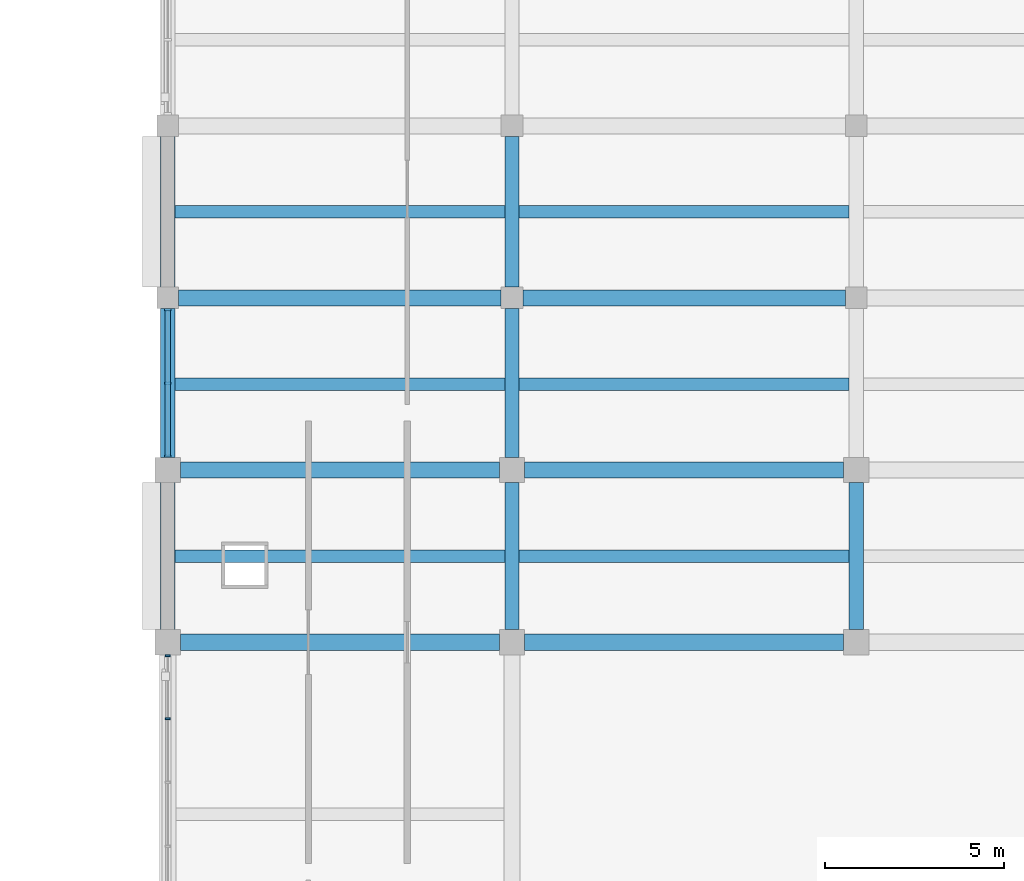
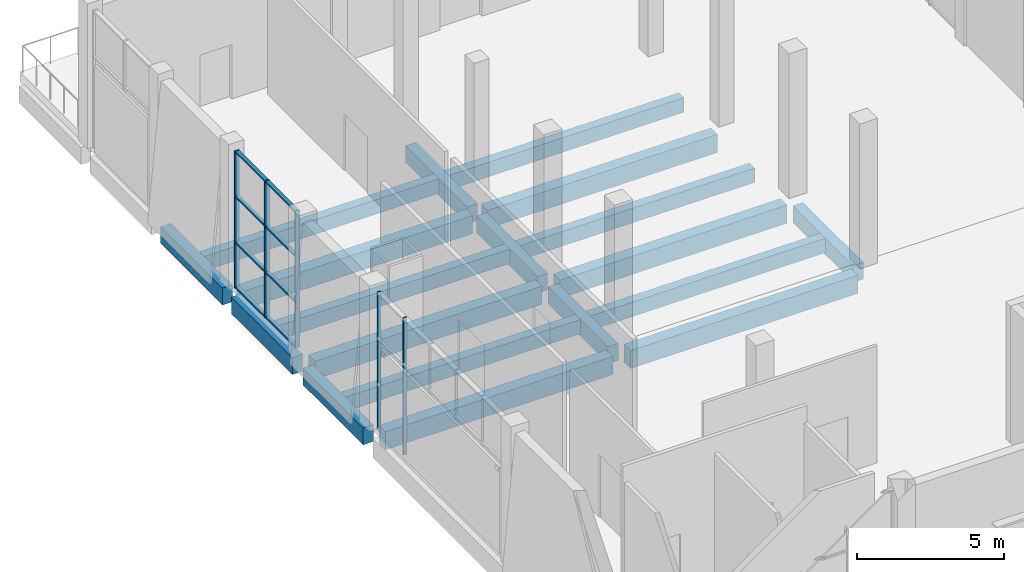
# One storey, part 13 of 84: 19 beams, 9 members, 2 elements without a shape of their own.
"""IFC4 building model written with IfcOpenShell, lengths in metres."""

import ifcopenshell
import ifcopenshell.guid

model = None  # the IFC model being written
_history = None  # IfcOwnerHistory: only IFC2X3 demands one
_inside = {}  # id of a spatial element -> (the spatial element, [elements in it])
_under = {}  # id of a project, library or spatial element -> (it, [spatial elements below it])
_declared = {}  # id of a project -> (the project, [libraries it declares])
_typed = {}  # id of a type object -> (the type object, [elements of that type])
_made_of = {}  # id of a material, layer set ... -> (it, [elements and type objects made of it])


def new_model(schema):
    """Start an empty IFC model of exactly this schema.

    Asked for "IFC4X3", IfcOpenShell would pick the latest addendum, in which some entities
    have other attributes; the version numbers below select the first issue.
    IFC2X3 requires an IfcOwnerHistory on every rooted entity: one is made here for all.
    """
    global model, _history
    if schema == "IFC4X3":
        model = ifcopenshell.file(schema_version=(4, 3, 0, 0))
    else:
        model = ifcopenshell.file(schema=schema)
    _inside.clear()
    _under.clear()
    _declared.clear()
    _typed.clear()
    _made_of.clear()
    _history = None
    if model.schema == "IFC2X3":
        org = make("IfcOrganization", Name="unknown")
        user = make(
            "IfcPersonAndOrganization",
            ThePerson=make("IfcPerson", FamilyName="unknown"),
            TheOrganization=org,
        )
        app = make(
            "IfcApplication",
            ApplicationDeveloper=org,
            Version="unknown",
            ApplicationFullName="unknown",
            ApplicationIdentifier="unknown",
        )
        _history = make(
            "IfcOwnerHistory",
            OwningUser=user,
            OwningApplication=app,
            ChangeAction="ADDED",
            CreationDate=0,
        )
    return model


def make(cls, **values):
    """One entity of the class cls with the attributes given. An attribute that is None is left unset."""
    return model.create_entity(
        cls, **{name: value for name, value in values.items() if value is not None}
    )


def rooted(cls, **values):
    """An entity with a GlobalId (a new one), such as an element, a storey or a relation."""
    return make(cls, GlobalId=ifcopenshell.guid.new(), OwnerHistory=_history, **values)


def si_unit(unit_type, name, prefix=None):
    """IfcSIUnit, for example si_unit("LENGTHUNIT", "METRE", prefix="MILLI")."""
    return make("IfcSIUnit", UnitType=unit_type, Prefix=prefix, Name=name)


def assignment(units):
    """IfcUnitAssignment: the units of a project."""
    return None if units is None else make("IfcUnitAssignment", Units=units)


def point(xyz):
    """IfcCartesianPoint."""
    return None if xyz is None else make("IfcCartesianPoint", Coordinates=xyz)


def direction(xyz):
    """IfcDirection."""
    return None if xyz is None else make("IfcDirection", DirectionRatios=xyz)


def frame(location, z_axis=None, x_axis=None):
    """IfcAxis2Placement3D, a coordinate frame: its origin and axes. An axis left out is left unset."""
    return make(
        "IfcAxis2Placement3D",
        Location=point(location),
        Axis=direction(z_axis),
        RefDirection=direction(x_axis),
    )


def frame_2d(location, x_axis=None):
    """IfcAxis2Placement2D, a coordinate frame in the plane: its origin and x axis."""
    return make(
        "IfcAxis2Placement2D", Location=point(location), RefDirection=direction(x_axis)
    )


def origin():
    """The frame at (0, 0, 0) with its axes left unset."""
    return frame((0.0, 0.0, 0.0))


def origin_2d():
    """The frame at (0, 0) in the plane with its x axis left unset."""
    return frame_2d((0.0, 0.0))


def place(relative_to, where):
    """IfcLocalPlacement: puts the frame where relative to a parent placement (None: the world)."""
    return make(
        "IfcLocalPlacement", PlacementRelTo=relative_to, RelativePlacement=where
    )


def context(
    kind, dimensions, precision=None, world=None, true_north=None, identifier=None
):
    """IfcGeometricRepresentationContext, for example the 3D "Model" context."""
    return make(
        "IfcGeometricRepresentationContext",
        ContextIdentifier=identifier,
        ContextType=kind,
        CoordinateSpaceDimension=dimensions,
        Precision=precision,
        WorldCoordinateSystem=world,
        TrueNorth=true_north,
    )


def subcontext(parent, identifier, kind, view, scale=None):
    """IfcGeometricRepresentationSubContext, for example "Body" below "Model"."""
    return make(
        "IfcGeometricRepresentationSubContext",
        ContextIdentifier=identifier,
        ContextType=kind,
        ParentContext=parent,
        TargetScale=scale,
        TargetView=view,
    )


def project(units=None, contexts=None):
    """IfcProject with its units and contexts."""
    return rooted(
        "IfcProject",
        Name="project",
        RepresentationContexts=contexts,
        UnitsInContext=assignment(units),
    )


def spatial(cls, under=None, at=None, **own):
    """A site, building, storey or space (cls), placed at a placement, below another one or the project."""
    s = rooted(cls, ObjectPlacement=at, **own)
    if under is not None:
        _under.setdefault(under.id(), (under, []))[1].append(s)
    return s


def profile(cls, at=None, kind="AREA", **sizes):
    """A parametric profile (cls). Its sizes go by their IFC names, for example OverallWidth=200.0."""
    return make(cls, ProfileType=kind, Position=at, **sizes)


def rectangle(**sizes):
    """IfcRectangleProfileDef."""
    return profile("IfcRectangleProfileDef", **sizes)


def extrude(swept, where, along, depth):
    """IfcExtrudedAreaSolid: the profile swept, set in the frame where, extruded along a direction by depth."""
    return make(
        "IfcExtrudedAreaSolid",
        SweptArea=swept,
        Position=where,
        ExtrudedDirection=direction(along),
        Depth=depth,
    )


def shape(context_of_items, identifier, shape_type, items):
    """IfcShapeRepresentation: the items that make up one representation, for example the "Body"."""
    return make(
        "IfcShapeRepresentation",
        ContextOfItems=context_of_items,
        RepresentationIdentifier=identifier,
        RepresentationType=shape_type,
        Items=items,
    )


def material(Name=None, Category=None):
    """IfcMaterial."""
    return make("IfcMaterial", Name=Name, Category=Category)


def material_profile(
    of_material, cross_section, Name=None, Category=None, Priority=None
):
    """IfcMaterialProfile: a cross section and its material."""
    return make(
        "IfcMaterialProfile",
        Name=Name,
        Material=of_material,
        Profile=cross_section,
        Priority=Priority,
        Category=Category,
    )


def profile_set(profiles, Name=None, composite=None):
    """IfcMaterialProfileSet."""
    return make(
        "IfcMaterialProfileSet",
        Name=Name,
        MaterialProfiles=profiles,
        CompositeProfile=composite,
    )


def made_of(thing, what):
    """Note that an element or type object is made of a material, layer set ...; save() writes the relation."""
    if what is not None:
        _made_of.setdefault(what.id(), (what, []))[1].append(thing)
    return thing


def type_object(cls, material=None, **own):
    """A type object (cls), such as IfcWallType, which elements share."""
    return made_of(rooted(cls, **own), material)


def element(
    cls,
    number,
    at=None,
    inside=None,
    cuts=None,
    type_object=None,
    material=None,
    context=None,
    identifier="Body",
    shape_type=None,
    held_by="IfcProductDefinitionShape",
    body=None,
    shapes=None,
    **own,
):
    """One element of the class cls, such as IfcWall. Its Tag is "e" and its number.

    at: its placement. inside: the storey or other place that contains it. cuts: it is an
    opening in that element (IfcRelVoidsElement). A single representation is given by context,
    identifier, shape_type and body (its items); several are given by shapes. held_by: the class
    of the entity that holds the representations. save() writes the other relations.
    """
    e = rooted(cls, Tag="e%d" % number, ObjectPlacement=at, **own)
    if body is not None:
        shapes = [shape(context, identifier, shape_type, body)]
    if shapes is not None:
        e.Representation = make(held_by, Representations=shapes)
    if inside is not None:
        _inside.setdefault(inside.id(), (inside, []))[1].append(e)
    if cuts is not None:
        rooted(
            "IfcRelVoidsElement", RelatingBuildingElement=cuts, RelatedOpeningElement=e
        )
    if type_object is not None:
        _typed.setdefault(type_object.id(), (type_object, []))[1].append(e)
    return made_of(e, material)


def aggregate(whole, parts):
    """IfcRelAggregates: a whole, such as a stair, and the parts it consists of."""
    return rooted("IfcRelAggregates", RelatingObject=whole, RelatedObjects=parts)


def save(model, path):
    """Write the relations noted so far, then the file.

    IfcRelAggregates (storeys below a building ...), IfcRelContainedInSpatialStructure (elements
    in a storey), IfcRelDefinesByType, IfcRelAssociatesMaterial and IfcRelDeclares: one each for
    every whole, place, type object, material and project.
    """
    for whole, parts in _under.values():
        aggregate(whole, parts)
    for where, things in _inside.values():
        rooted(
            "IfcRelContainedInSpatialStructure",
            RelatedElements=things,
            RelatingStructure=where,
        )
    for kind, things in _typed.values():
        rooted("IfcRelDefinesByType", RelatedObjects=things, RelatingType=kind)
    for what, things in _made_of.values():
        rooted("IfcRelAssociatesMaterial", RelatedObjects=things, RelatingMaterial=what)
    for by, libraries in _declared.values():
        rooted("IfcRelDeclares", RelatingContext=by, RelatedDefinitions=libraries)
    model.write(path)


model = new_model("IFC4")

# Units and contexts
model_context = context("Model", 3, precision=1e-05, world=origin(), true_north=direction((0.0, 1.0)))
body_context = subcontext(model_context, "Body", "Model", "MODEL_VIEW")
ifc_project = project(units=[si_unit("LENGTHUNIT", "METRE"), si_unit("AREAUNIT", "SQUARE_METRE"), si_unit("VOLUMEUNIT", "CUBIC_METRE"), si_unit("PLANEANGLEUNIT", "RADIAN"), si_unit("MASSUNIT", "GRAM", prefix="KILO")], contexts=[model_context])

# Site, building, storey
site_placement = place(None, origin())
site = spatial("IfcSite", under=ifc_project, at=site_placement, CompositionType="ELEMENT")
building_placement = place(site_placement, origin())
building = spatial("IfcBuilding", under=site, at=building_placement, Name="Shalvenor Court Art Gallery", CompositionType="ELEMENT")
storey_placement = place(building_placement, origin())
storey = spatial("IfcBuildingStorey", under=building, at=storey_placement, Name="L00", CompositionType="ELEMENT", Elevation=0.0)

# Beams
ifc_material_1 = material(Name="Concrete C40/50", Category="concrete")
ifc_material_profile_1 = material_profile(ifc_material_1, rectangle(XDim=0.449951171875, YDim=0.75, at=origin_2d()), Name="RC 450x750")
ifc_profile_set_1 = profile_set([ifc_material_profile_1], Name="Concrete C40/50")
beam_type_1 = type_object("IfcBeamType", Name="B-04", PredefinedType="BEAM", material=ifc_profile_set_1)
beam_1_placement = place(storey_placement, frame((96.35009765625, 19.199951171875, -0.715087890625), z_axis=(1.0, 0.0, 0.0), x_axis=(0.0, 1.0, 0.0)))
element("IfcBeam", 1, at=beam_1_placement, inside=storey, type_object=beam_type_1, Name="L00 Girder BM-L00-B-04-0164", PredefinedType="BEAM", context=body_context, shape_type="SweptSolid", body=[
    extrude(rectangle(XDim=0.449951171875, YDim=0.75, at=origin_2d()), origin(), (0.0, 0.0, 1.0), 8.89990234375),
])
beam_2_placement = place(storey_placement, frame((105.949951171875, 19.199951171875, -0.715087890625), z_axis=(1.0, 0.0, 0.0), x_axis=(0.0, 1.0, 0.0)))
element("IfcBeam", 2, at=beam_2_placement, inside=storey, type_object=beam_type_1, Name="L00 Girder BM-L00-B-04-0165", PredefinedType="BEAM", context=body_context, shape_type="SweptSolid", body=[
    extrude(rectangle(XDim=0.449951171875, YDim=0.75, at=origin_2d()), origin(), (0.0, 0.0, 1.0), 8.900146484375),
])
beam_3_placement = place(storey_placement, frame((96.35009765625, 24.0, -0.715087890625), z_axis=(1.0, 0.0, 0.0), x_axis=(0.0, 1.0, 0.0)))
element("IfcBeam", 3, at=beam_3_placement, inside=storey, type_object=beam_type_1, Name="L00 Girder BM-L00-B-04-0167", PredefinedType="BEAM", context=body_context, shape_type="SweptSolid", body=[
    extrude(rectangle(XDim=0.449951171875, YDim=0.75, at=origin_2d()), origin(), (0.0, 0.0, 1.0), 8.89990234375),
])
beam_4_placement = place(storey_placement, frame((105.949951171875, 24.0, -0.715087890625), z_axis=(1.0, 0.0, 0.0), x_axis=(0.0, 1.0, 0.0)))
element("IfcBeam", 4, at=beam_4_placement, inside=storey, type_object=beam_type_1, Name="L00 Girder BM-L00-B-04-0168", PredefinedType="BEAM", context=body_context, shape_type="SweptSolid", body=[
    extrude(rectangle(XDim=0.449951171875, YDim=0.75, at=origin_2d()), origin(), (0.0, 0.0, 1.0), 8.900146484375),
])
for number, where, z_axis, x_axis, name in (
    (5, (96.300048828125, 28.800048828125, -0.715087890625), (1.0, 0.0, 0.0), (0.0, 1.0, 0.0), "L00 Girder BM-L00-B-04-0177"),
    (6, (105.89990234375, 28.800048828125, -0.715087890625), (1.0, 0.0, 0.0), (0.0, 1.0, 0.0), "L00 Girder BM-L00-B-04-0178"),
):
    element("IfcBeam", number, at=place(storey_placement, frame(where, z_axis=z_axis, x_axis=x_axis)), inside=storey, type_object=beam_type_1, Name=name, PredefinedType="BEAM", context=body_context, shape_type="SweptSolid", body=[
        extrude(rectangle(XDim=0.449951171875, YDim=0.75, at=origin_2d()), origin(), (0.0, 0.0, 1.0), 9.0),
    ])
ifc_material_2 = material(Name="Concrete C40/50", Category="concrete")
ifc_material_profile_2 = material_profile(ifc_material_2, rectangle(XDim=0.39990234375, YDim=0.699951171875, at=origin_2d()), Name="RC 400x700")
ifc_profile_set_2 = profile_set([ifc_material_profile_2], Name="Concrete C40/50")
beam_type_2 = type_object("IfcBeamType", Name="B-05", PredefinedType="BEAM", material=ifc_profile_set_2)
beam_5_placement = place(storey_placement, frame((96.0, 19.550048828125, -0.68994140625), z_axis=(0.0, 1.0, 0.0), x_axis=(-1.0, 0.0, 0.0)))
element("IfcBeam", 7, at=beam_5_placement, inside=storey, type_object=beam_type_2, Name="L00 Girder BM-L00-B-05-0068", PredefinedType="BEAM", context=body_context, shape_type="SweptSolid", body=[
    extrude(rectangle(XDim=0.39990234375, YDim=0.699951171875, at=origin_2d()), origin(), (0.0, 0.0, 1.0), 4.099853515625),
])
beam_6_placement = place(storey_placement, frame((96.0, 24.35009765625, -0.68994140625), z_axis=(0.0, 1.0, 0.0), x_axis=(-1.0, 0.0, 0.0)))
element("IfcBeam", 8, at=beam_6_placement, inside=storey, type_object=beam_type_2, Name="L00 Girder BM-L00-B-05-0069", PredefinedType="BEAM", context=body_context, shape_type="SweptSolid", body=[
    extrude(rectangle(XDim=0.39990234375, YDim=0.699951171875, at=origin_2d()), origin(), (0.0, 0.0, 1.0), 4.14990234375),
])
beam_7_placement = place(storey_placement, frame((96.0, 29.10009765625, -0.68994140625), z_axis=(0.0, 1.0, 0.0), x_axis=(-1.0, 0.0, 0.0)))
element("IfcBeam", 9, at=beam_7_placement, inside=storey, type_object=beam_type_2, Name="L00 Girder BM-L00-B-05-0070", PredefinedType="BEAM", context=body_context, shape_type="SweptSolid", body=[
    extrude(rectangle(XDim=0.39990234375, YDim=0.699951171875, at=origin_2d()), origin(), (0.0, 0.0, 1.0), 4.199951171875),
])
beam_8_placement = place(storey_placement, frame((105.60009765625, 19.550048828125, -0.68994140625), z_axis=(0.0, 1.0, 0.0), x_axis=(-1.0, 0.0, 0.0)))
element("IfcBeam", 10, at=beam_8_placement, inside=storey, type_object=beam_type_2, Name="L00 Girder BM-L00-B-05-0078", PredefinedType="BEAM", context=body_context, shape_type="SweptSolid", body=[
    extrude(rectangle(XDim=0.39990234375, YDim=0.699951171875, at=origin_2d()), origin(), (0.0, 0.0, 1.0), 4.099853515625),
])
beam_9_placement = place(storey_placement, frame((105.60009765625, 24.35009765625, -0.68994140625), z_axis=(0.0, 1.0, 0.0), x_axis=(-1.0, 0.0, 0.0)))
element("IfcBeam", 11, at=beam_9_placement, inside=storey, type_object=beam_type_2, Name="L00 Girder BM-L00-B-05-0079", PredefinedType="BEAM", context=body_context, shape_type="SweptSolid", body=[
    extrude(rectangle(XDim=0.39990234375, YDim=0.699951171875, at=origin_2d()), origin(), (0.0, 0.0, 1.0), 4.14990234375),
])
beam_10_placement = place(storey_placement, frame((105.60009765625, 29.10009765625, -0.68994140625), z_axis=(0.0, 1.0, 0.0), x_axis=(-1.0, 0.0, 0.0)))
element("IfcBeam", 12, at=beam_10_placement, inside=storey, type_object=beam_type_2, Name="L00 Girder BM-L00-B-05-0080", PredefinedType="BEAM", context=body_context, shape_type="SweptSolid", body=[
    extrude(rectangle(XDim=0.39990234375, YDim=0.699951171875, at=origin_2d()), origin(), (0.0, 0.0, 1.0), 4.199951171875),
])
beam_11_placement = place(storey_placement, frame((115.199951171875, 19.550048828125, -0.68994140625), z_axis=(0.0, 1.0, 0.0), x_axis=(-1.0, 0.0, 0.0)))
element("IfcBeam", 13, at=beam_11_placement, inside=storey, type_object=beam_type_2, Name="L00 Girder BM-L00-B-05-0090", PredefinedType="BEAM", context=body_context, shape_type="SweptSolid", body=[
    extrude(rectangle(XDim=0.39990234375, YDim=0.699951171875, at=origin_2d()), origin(), (0.0, 0.0, 1.0), 4.099853515625),
])

# Curtain wall, members
ifc_material_3 = material(Name="Anodised aluminium and low-iron glass curtain wall", Category="aluminium")
curtain_wall_type_1 = type_object("IfcCurtainWallType", Name="CW-2x3-42-57-112", PredefinedType="USERDEFINED", material=ifc_material_3)
curtain_wall_1_placement = place(storey_placement, origin())
curtain_wall_1 = element("IfcCurtainWall", 14, at=curtain_wall_1_placement, inside=storey, type_object=curtain_wall_type_1, Name="L00 V3 Curtain Wall CW-L00-096", ObjectType="CURTAIN WALL", PredefinedType="USERDEFINED")
ifc_material_4 = material(Name="Anodised aluminium mullion", Category="aluminium")
ifc_material_profile_3 = material_profile(ifc_material_4, rectangle(XDim=0.06494140625, YDim=0.179931640625, at=origin_2d()), Name="CWM-01")
ifc_profile_set_3 = profile_set([ifc_material_profile_3], Name="Anodised aluminium mullion")
member_type_1 = type_object("IfcMemberType", Name="CWM-01", PredefinedType="MULLION", material=ifc_profile_set_3)
member_1_placement = place(storey_placement, frame((96.0, 24.382568359375, 0.0), z_axis=(0.0, 0.0, 1.0), x_axis=(0.0, 1.0, 0.0)))
member_1 = element("IfcMember", 15, at=member_1_placement, type_object=member_type_1, Name="CW-2x3-42-57-112 mullion 1", PredefinedType="MULLION", context=body_context, shape_type="SweptSolid", body=[
    extrude(rectangle(XDim=0.06494140625, YDim=0.179931640625, at=origin_2d()), origin(), (0.0, 0.0, 1.0), 5.679931640625),
])
member_2_placement = place(storey_placement, frame((96.0, 26.425048828125, 0.0), z_axis=(0.0, 0.0, 1.0), x_axis=(0.0, 1.0, 0.0)))
member_2 = element("IfcMember", 16, at=member_2_placement, type_object=member_type_1, Name="CW-2x3-42-57-112 mullion 2", PredefinedType="MULLION", context=body_context, shape_type="SweptSolid", body=[
    extrude(rectangle(XDim=0.06494140625, YDim=0.179931640625, at=origin_2d()), origin(), (0.0, 0.0, 1.0), 5.679931640625),
])
member_3_placement = place(storey_placement, frame((96.0, 28.467529296875, 0.0), z_axis=(0.0, 0.0, 1.0), x_axis=(0.0, 1.0, 0.0)))
member_3 = element("IfcMember", 17, at=member_3_placement, type_object=member_type_1, Name="CW-2x3-42-57-112 mullion 3", PredefinedType="MULLION", context=body_context, shape_type="SweptSolid", body=[
    extrude(rectangle(XDim=0.06494140625, YDim=0.179931640625, at=origin_2d()), origin(), (0.0, 0.0, 1.0), 5.679931640625),
])

ifc_material_5 = material(Name="Anodised aluminium and low-iron glass curtain wall", Category="aluminium")
curtain_wall_type_2 = type_object("IfcCurtainWallType", Name="CW-5x3-89-57-642", PredefinedType="USERDEFINED", material=ifc_material_5)
curtain_wall_2_placement = place(storey_placement, origin())
curtain_wall_2 = element("IfcCurtainWall", 18, at=curtain_wall_2_placement, inside=storey, type_object=curtain_wall_type_2, Name="L00 V3 Curtain Wall CW-L00-095", ObjectType="CURTAIN WALL", PredefinedType="USERDEFINED")
ifc_material_6 = material(Name="Anodised aluminium mullion", Category="aluminium")
ifc_material_profile_4 = material_profile(ifc_material_6, rectangle(XDim=0.054931640625, YDim=0.139892578125, at=origin_2d()), Name="CWM-06")
ifc_profile_set_4 = profile_set([ifc_material_profile_4], Name="Anodised aluminium mullion")
member_type_2 = type_object("IfcMemberType", Name="CWM-06", PredefinedType="MULLION", material=ifc_profile_set_4)
member_4_placement = place(storey_placement, frame((96.0, 17.070068359375, 0.0), z_axis=(0.0, 0.0, 1.0), x_axis=(0.0, 1.0, 0.0)))
member_4 = element("IfcMember", 19, at=member_4_placement, type_object=member_type_2, Name="CW-5x3-89-57-642 mullion 5", PredefinedType="MULLION", context=body_context, shape_type="SweptSolid", body=[
    extrude(rectangle(XDim=0.054931640625, YDim=0.139892578125, at=origin_2d()), origin(), (0.0, 0.0, 1.0), 5.679931640625),
])
member_5_placement = place(storey_placement, frame((96.0, 18.822509765625, 0.0), z_axis=(0.0, 0.0, 1.0), x_axis=(0.0, 1.0, 0.0)))
member_5 = element("IfcMember", 20, at=member_5_placement, type_object=member_type_2, Name="CW-5x3-89-57-642 mullion 6", PredefinedType="MULLION", context=body_context, shape_type="SweptSolid", body=[
    extrude(rectangle(XDim=0.054931640625, YDim=0.139892578125, at=origin_2d()), origin(), (0.0, 0.0, 1.0), 5.679931640625),
])
aggregate(curtain_wall_2, [member_4, member_5])

# Member
ifc_material_7 = material(Name="Anodised aluminium transom", Category="aluminium")
ifc_material_profile_5 = material_profile(ifc_material_7, rectangle(XDim=0.14990234375, YDim=0.06005859375, at=origin_2d()), Name="CWT-01")
ifc_profile_set_5 = profile_set([ifc_material_profile_5], Name="Anodised aluminium transom")
member_type_3 = type_object("IfcMemberType", Name="CWT-01", PredefinedType="USERDEFINED", material=ifc_profile_set_5)
member_6_placement = place(storey_placement, frame((96.0, 24.382568359375, 0.030029296875), z_axis=(0.0, 1.0, 0.0), x_axis=(-1.0, 0.0, 0.0)))
member_6 = element("IfcMember", 21, at=member_6_placement, type_object=member_type_3, Name="CW-2x3-42-57-112 transom 1", ObjectType="TRANSOM", PredefinedType="USERDEFINED", context=body_context, shape_type="SweptSolid", body=[
    extrude(rectangle(XDim=0.14990234375, YDim=0.06005859375, at=origin_2d()), origin(), (0.0, 0.0, 1.0), 4.0849609375),
])

member_7_placement = place(storey_placement, frame((96.0, 24.382568359375, 1.893310546875), z_axis=(0.0, 1.0, 0.0), x_axis=(-1.0, 0.0, 0.0)))
member_7 = element("IfcMember", 22, at=member_7_placement, type_object=member_type_3, Name="CW-2x3-42-57-112 transom 2", ObjectType="TRANSOM", PredefinedType="USERDEFINED", context=body_context, shape_type="SweptSolid", body=[
    extrude(rectangle(XDim=0.14990234375, YDim=0.06005859375, at=origin_2d()), origin(), (0.0, 0.0, 1.0), 4.0849609375),
])

member_8_placement = place(storey_placement, frame((96.0, 24.382568359375, 3.78662109375), z_axis=(0.0, 1.0, 0.0), x_axis=(-1.0, 0.0, 0.0)))
member_8 = element("IfcMember", 23, at=member_8_placement, type_object=member_type_3, Name="CW-2x3-42-57-112 transom 3", ObjectType="TRANSOM", PredefinedType="USERDEFINED", context=body_context, shape_type="SweptSolid", body=[
    extrude(rectangle(XDim=0.14990234375, YDim=0.06005859375, at=origin_2d()), origin(), (0.0, 0.0, 1.0), 4.0849609375),
])

member_9_placement = place(storey_placement, frame((96.0, 24.382568359375, 5.64990234375), z_axis=(0.0, 1.0, 0.0), x_axis=(-1.0, 0.0, 0.0)))
member_9 = element("IfcMember", 24, at=member_9_placement, type_object=member_type_3, Name="CW-2x3-42-57-112 transom 4", ObjectType="TRANSOM", PredefinedType="USERDEFINED", context=body_context, shape_type="SweptSolid", body=[
    extrude(rectangle(XDim=0.14990234375, YDim=0.06005859375, at=origin_2d()), origin(), (0.0, 0.0, 1.0), 4.0849609375),
])

aggregate(curtain_wall_1, [member_1, member_2, member_3, member_6, member_7, member_8, member_9])

# Beams
ifc_material_8 = material(Name="Concrete C40/50", Category="concrete")
ifc_material_profile_6 = material_profile(ifc_material_8, rectangle(XDim=0.35009765625, YDim=0.60009765625, at=origin_2d()), Name="RC 350x600")
ifc_profile_set_6 = profile_set([ifc_material_profile_6], Name="Concrete C40/50")
beam_type_3 = type_object("IfcBeamType", Name="J-01", PredefinedType="JOIST", material=ifc_profile_set_6)
for number, where, z_axis, x_axis, name in (
    (25, (96.199951171875, 21.60009765625, -0.639892578125), (1.0, 0.0, 0.0), (0.0, 1.0, 0.0), "L00 Secondary Beam JST-L00-J-01-0320"),
    (26, (96.199951171875, 26.39990234375, -0.639892578125), (1.0, 0.0, 0.0), (0.0, 1.0, 0.0), "L00 Secondary Beam JST-L00-J-01-0321"),
    (27, (96.199951171875, 31.199951171875, -0.639892578125), (1.0, 0.0, 0.0), (0.0, 1.0, 0.0), "L00 Secondary Beam JST-L00-J-01-0322"),
    (28, (105.800048828125, 21.60009765625, -0.639892578125), (1.0, 0.0, 0.0), (0.0, 1.0, 0.0), "L00 Secondary Beam JST-L00-J-01-0327"),
    (29, (105.800048828125, 26.39990234375, -0.639892578125), (1.0, 0.0, 0.0), (0.0, 1.0, 0.0), "L00 Secondary Beam JST-L00-J-01-0328"),
    (30, (105.800048828125, 31.199951171875, -0.639892578125), (1.0, 0.0, 0.0), (0.0, 1.0, 0.0), "L00 Secondary Beam JST-L00-J-01-0329"),
):
    element("IfcBeam", number, at=place(storey_placement, frame(where, z_axis=z_axis, x_axis=x_axis)), inside=storey, type_object=beam_type_3, Name=name, PredefinedType="JOIST", context=body_context, shape_type="SweptSolid", body=[
        extrude(rectangle(XDim=0.35009765625, YDim=0.60009765625, at=origin_2d()), origin(), (0.0, 0.0, 1.0), 9.199951171875),
    ])

save(model, "model.ifc")
